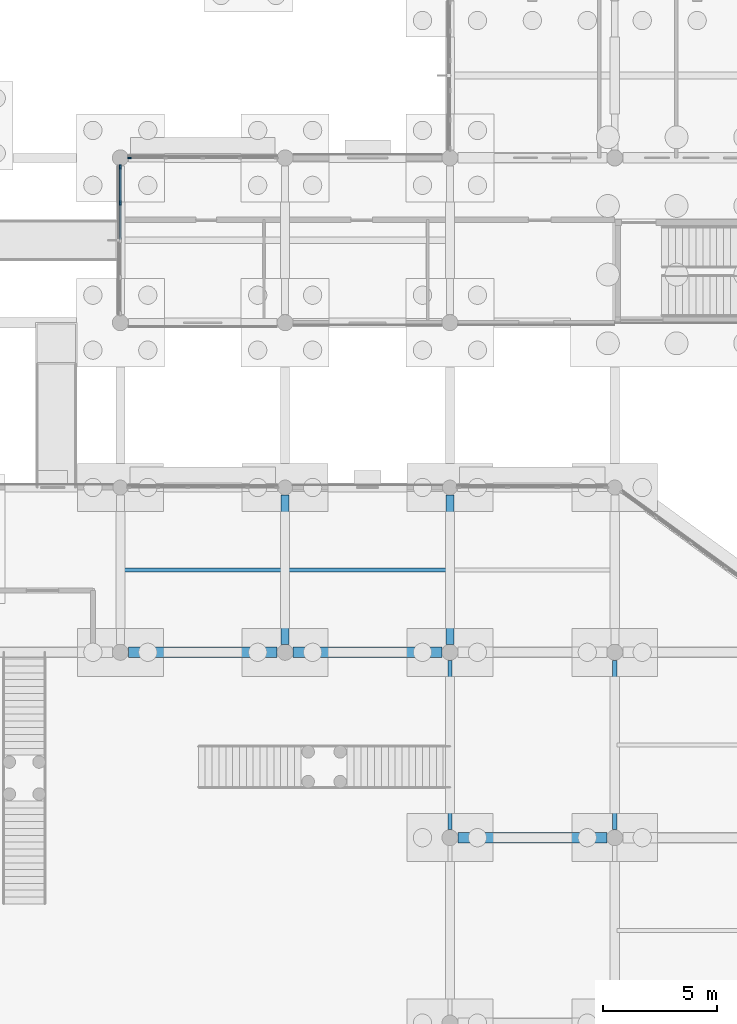
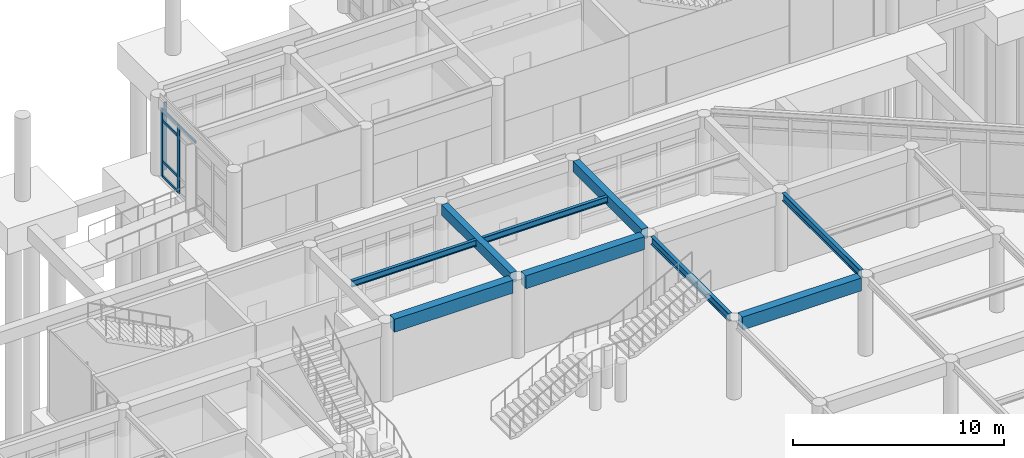
# One storey, part 25 of 103: 9 beams, 8 members, 2 elements without a shape of their own.
"""IFC4 building model written with IfcOpenShell, lengths in metres."""

from ifc_helpers import new_model, si_unit, direction, frame, origin, origin_2d, place, context, subcontext, project, spatial, rectangle, i_section, extrude, material, layer, layer_set, material_profile, profile_set, type_object, element, aggregate, save


model = new_model("IFC4")

# Units and contexts
model_context = context("Model", 3, precision=1e-05, world=origin(), true_north=direction((0.0, 1.0)))
body_context = subcontext(model_context, "Body", "Model", "MODEL_VIEW")
ifc_project = project(units=[si_unit("LENGTHUNIT", "METRE"), si_unit("AREAUNIT", "SQUARE_METRE"), si_unit("VOLUMEUNIT", "CUBIC_METRE"), si_unit("PLANEANGLEUNIT", "RADIAN"), si_unit("MASSUNIT", "GRAM", prefix="KILO")], contexts=[model_context])

# Site, building, storey
site_placement = place(None, origin())
site = spatial("IfcSite", under=ifc_project, at=site_placement, CompositionType="ELEMENT")
building_placement = place(site_placement, origin())
building = spatial("IfcBuilding", under=site, at=building_placement, Name="Namkhue Oval Health Centre", CompositionType="ELEMENT")
storey_placement = place(building_placement, origin())
storey = spatial("IfcBuildingStorey", under=building, at=storey_placement, Name="L00", CompositionType="ELEMENT", Elevation=0.0)

# Curtain wall, member
ifc_material_1 = material(Name="Anodised aluminium EN AW-6063 T6", Category="aluminium")
ifc_layer_1 = layer(ifc_material_1, 0.159912109375)
ifc_layer_set_1 = layer_set([ifc_layer_1], Name="Anodised aluminium EN AW-6063 T6")
curtain_wall_type_1 = type_object("IfcCurtainWallType", Name="UNITISED CURTAIN WALL M1500", PredefinedType="NOTDEFINED", material=ifc_layer_set_1)
curtain_wall_1_placement = place(storey_placement, origin())
curtain_wall_1 = element("IfcCurtainWall", 1, at=curtain_wall_1_placement, inside=storey, type_object=curtain_wall_type_1, Name="Volume V2 L00 Unitised Curtain Wall 45", PredefinedType="NOTDEFINED")
ifc_material_profile_1 = material_profile(ifc_material_1, rectangle(XDim=0.06494140625, YDim=0.159912109375, at=origin_2d()), Name="ALU 65x160")
ifc_profile_set_1 = profile_set([ifc_material_profile_1], Name="Anodised aluminium EN AW-6063 T6")
member_type_1 = type_object("IfcMemberType", Name="CURTAIN WALL MULLION 65X160", PredefinedType="MULLION", material=ifc_profile_set_1)
member_1_placement = place(storey_placement, frame((36.392578125, 97.199951171875, 0.0), z_axis=(0.0, 0.0, 1.0), x_axis=(0.0, -1.0, 0.0)))
member_1 = element("IfcMember", 2, at=member_1_placement, type_object=member_type_1, Name="CW-03 mullion 5", PredefinedType="MULLION", context=body_context, shape_type="SweptSolid", body=[
    extrude(rectangle(XDim=0.06494140625, YDim=0.159912109375, at=origin_2d()), origin(), (0.0, 0.0, 1.0), 3.909912109375),
])
aggregate(curtain_wall_1, [member_1])

# Curtain wall, members
ifc_layer_2 = layer(ifc_material_1, 0.159912109375)
ifc_layer_set_2 = layer_set([ifc_layer_2], Name="Anodised aluminium EN AW-6063 T6")
curtain_wall_type_2 = type_object("IfcCurtainWallType", Name="UNITISED CURTAIN WALL M1600", PredefinedType="NOTDEFINED", material=ifc_layer_set_2)
curtain_wall_2_placement = place(storey_placement, origin())
curtain_wall_2 = element("IfcCurtainWall", 3, at=curtain_wall_2_placement, inside=storey, type_object=curtain_wall_type_2, Name="Volume V2 L00 Unitised Curtain Wall 46", PredefinedType="NOTDEFINED")
ifc_material_profile_2 = material_profile(ifc_material_1, rectangle(XDim=0.074951171875, YDim=0.199951171875, at=origin_2d()), Name="ALU 75x200")
ifc_profile_set_2 = profile_set([ifc_material_profile_2], Name="Anodised aluminium EN AW-6063 T6")
member_type_2 = type_object("IfcMemberType", Name="CURTAIN WALL MULLION 75X200", PredefinedType="MULLION", material=ifc_profile_set_2)
member_2_placement = place(storey_placement, frame((36.0, 96.802490234375, 0.0), z_axis=(0.0, 0.0, 1.0), x_axis=(1.0, 0.0, 0.0)))
member_2 = element("IfcMember", 4, at=member_2_placement, type_object=member_type_2, Name="CW-04 mullion 1", PredefinedType="MULLION", context=body_context, shape_type="SweptSolid", body=[
    extrude(rectangle(XDim=0.074951171875, YDim=0.199951171875, at=origin_2d()), origin(), (0.0, 0.0, 1.0), 3.909912109375),
])
member_3_placement = place(storey_placement, frame((36.0, 95.219970703125, 0.0), z_axis=(0.0, 0.0, 1.0), x_axis=(1.0, 0.0, 0.0)))
member_3 = element("IfcMember", 5, at=member_3_placement, type_object=member_type_2, Name="CW-04 mullion 2", PredefinedType="MULLION", context=body_context, shape_type="SweptSolid", body=[
    extrude(rectangle(XDim=0.074951171875, YDim=0.199951171875, at=origin_2d()), origin(), (0.0, 0.0, 1.0), 3.909912109375),
])
ifc_material_profile_3 = material_profile(ifc_material_1, rectangle(XDim=0.074951171875, YDim=0.14990234375, at=origin_2d()), Name="ALU 75x150")
ifc_profile_set_3 = profile_set([ifc_material_profile_3], Name="Anodised aluminium EN AW-6063 T6")
member_type_3 = type_object("IfcMemberType", Name="CURTAIN WALL TRANSOM 75X150", PredefinedType="USERDEFINED", material=ifc_profile_set_3)
member_4_placement = place(storey_placement, frame((36.0, 96.764892578125, 0.03759765625), z_axis=(0.0, -1.0, 0.0), x_axis=(1.0, 0.0, 0.0)))
member_4 = element("IfcMember", 6, at=member_4_placement, type_object=member_type_3, Name="CW-04 transom 1.1", ObjectType="TRANSOM", PredefinedType="USERDEFINED", context=body_context, shape_type="SweptSolid", body=[
    extrude(rectangle(XDim=0.074951171875, YDim=0.14990234375, at=origin_2d()), origin(), (0.0, 0.0, 1.0), 1.50732421875),
])
member_5_placement = place(storey_placement, frame((36.0, 96.764892578125, 0.89990234375), z_axis=(0.0, -1.0, 0.0), x_axis=(1.0, 0.0, 0.0)))
member_5 = element("IfcMember", 7, at=member_5_placement, type_object=member_type_3, Name="CW-04 transom 1.2", ObjectType="TRANSOM", PredefinedType="USERDEFINED", context=body_context, shape_type="SweptSolid", body=[
    extrude(rectangle(XDim=0.074951171875, YDim=0.14990234375, at=origin_2d()), origin(), (0.0, 0.0, 1.0), 1.50732421875),
])
member_6_placement = place(storey_placement, frame((36.0, 96.764892578125, 3.260009765625), z_axis=(0.0, -1.0, 0.0), x_axis=(1.0, 0.0, 0.0)))
member_6 = element("IfcMember", 8, at=member_6_placement, type_object=member_type_3, Name="CW-04 transom 1.3", ObjectType="TRANSOM", PredefinedType="USERDEFINED", context=body_context, shape_type="SweptSolid", body=[
    extrude(rectangle(XDim=0.074951171875, YDim=0.14990234375, at=origin_2d()), origin(), (0.0, 0.0, 1.0), 1.50732421875),
])
member_7_placement = place(storey_placement, frame((36.0, 96.764892578125, 3.87255859375), z_axis=(0.0, -1.0, 0.0), x_axis=(1.0, 0.0, 0.0)))
member_7 = element("IfcMember", 9, at=member_7_placement, type_object=member_type_3, Name="CW-04 transom 1.4", ObjectType="TRANSOM", PredefinedType="USERDEFINED", context=body_context, shape_type="SweptSolid", body=[
    extrude(rectangle(XDim=0.074951171875, YDim=0.14990234375, at=origin_2d()), origin(), (0.0, 0.0, 1.0), 1.50732421875),
])
member_8_placement = place(storey_placement, frame((36.0, 95.1826171875, 3.87255859375), z_axis=(0.0, -1.0, 0.0), x_axis=(1.0, 0.0, 0.0)))
member_8 = element("IfcMember", 10, at=member_8_placement, type_object=member_type_3, Name="CW-04 transom 2.4", ObjectType="TRANSOM", PredefinedType="USERDEFINED", context=body_context, shape_type="SweptSolid", body=[
    extrude(rectangle(XDim=0.074951171875, YDim=0.14990234375, at=origin_2d()), origin(), (0.0, 0.0, 1.0), 1.545166015625),
])
aggregate(curtain_wall_2, [member_2, member_3, member_4, member_5, member_6, member_7, member_8])

# Beams
ifc_material_2 = material(Name="Reinforced concrete C30/37 (TCVN B35)", Category="concrete")
ifc_material_profile_4 = material_profile(ifc_material_2, rectangle(XDim=0.35009765625, YDim=0.60009765625, at=origin_2d()), Name="RC 350x600")
ifc_profile_set_4 = profile_set([ifc_material_profile_4], Name="Reinforced concrete C30/37 (TCVN B35)")
beam_type_1 = type_object("IfcBeamType", Name="FLOOR BEAM RC 350X600", PredefinedType="BEAM", material=ifc_profile_set_4)
for number, where, z_axis, x_axis, name in (
    (11, (43.199951171875, 75.949951171875, 4.264892578125), (0.0, 1.0, 0.0), (-1.0, 0.0, 0.0), "Volume V1 L01 Beam 7/L-M"),
    (12, (50.39990234375, 75.949951171875, 4.264892578125), (0.0, 1.0, 0.0), (-1.0, 0.0, 0.0), "Volume V1 L01 Beam 8/L-M"),
):
    element("IfcBeam", number, at=place(storey_placement, frame(where, z_axis=z_axis, x_axis=x_axis)), inside=storey, type_object=beam_type_1, Name=name, PredefinedType="BEAM", context=body_context, shape_type="SweptSolid", body=[
        extrude(rectangle(XDim=0.35009765625, YDim=0.60009765625, at=origin_2d()), origin(), (0.0, 0.0, 1.0), 6.525146484375),
    ])
ifc_material_3 = material(Name="Structural steel EN 10025-2 S355JR (TCVN 5575:2024)", Category="steel")
ifc_material_profile_5 = material_profile(ifc_material_3, i_section(OverallWidth=0.18994140625, OverallDepth=0.449951171875, WebThickness=0.009521484375, FlangeThickness=0.0146484375, FilletRadius=0.02099609375, at=origin_2d()), Name="IPE 450")
ifc_profile_set_5 = profile_set([ifc_material_profile_5], Name="Structural steel EN 10025-2 S355JR (TCVN 5575:2024)")
beam_type_2 = type_object("IfcBeamType", Name="FLOOR BEAM STEEL IPE 450", PredefinedType="BEAM", material=ifc_profile_set_5)
for number, where, z_axis, x_axis, name in (
    (13, (50.39990234375, 67.85009765625, 4.340087890625), (0.0, 1.0, 0.0), (-1.0, 0.0, 0.0), "Volume V1 L01 Beam 8/K-L"),
    (14, (57.60009765625, 67.85009765625, 4.340087890625), (0.0, 1.0, 0.0), (-1.0, 0.0, 0.0), "Volume V1 L01 Beam 9/K-L"),
):
    element("IfcBeam", number, at=place(storey_placement, frame(where, z_axis=z_axis, x_axis=x_axis)), inside=storey, type_object=beam_type_2, Name=name, PredefinedType="BEAM", context=body_context, shape_type="SweptSolid", body=[
        extrude(i_section(OverallWidth=0.18994140625, OverallDepth=0.449951171875, WebThickness=0.009521484375, FlangeThickness=0.0146484375, FilletRadius=0.02099609375, at=origin_2d()), origin(), (0.0, 0.0, 1.0), 7.39990234375),
    ])
ifc_material_4 = material(Name="Reinforced concrete C35/45 (TCVN B40)", Category="concrete")
ifc_material_profile_6 = material_profile(ifc_material_4, rectangle(XDim=0.449951171875, YDim=0.75, at=origin_2d()), Name="RC 450x750")
ifc_profile_set_6 = profile_set([ifc_material_profile_6], Name="Reinforced concrete C35/45 (TCVN B40)")
beam_type_3 = type_object("IfcBeamType", Name="PRIMARY GIRDER RC 450X750", PredefinedType="USERDEFINED", material=ifc_profile_set_6)
for number, where, z_axis, x_axis, name in (
    (15, (50.75, 67.5, 4.18994140625), (1.0, 0.0, 0.0), (0.0, 1.0, 0.0), "Volume V1 L01 Girder K/8-9"),
    (16, (36.35009765625, 75.60009765625, 4.18994140625), (1.0, 0.0, 0.0), (0.0, 1.0, 0.0), "Volume V1 L01 Girder L/6-7"),
    (17, (43.550048828125, 75.60009765625, 4.18994140625), (1.0, 0.0, 0.0), (0.0, 1.0, 0.0), "Volume V1 L01 Girder L/7-8"),
):
    element("IfcBeam", number, at=place(storey_placement, frame(where, z_axis=z_axis, x_axis=x_axis)), inside=storey, type_object=beam_type_3, Name=name, ObjectType="GIRDER", PredefinedType="USERDEFINED", context=body_context, shape_type="SweptSolid", body=[
        extrude(rectangle(XDim=0.449951171875, YDim=0.75, at=origin_2d()), origin(), (0.0, 0.0, 1.0), 6.5),
    ])
ifc_material_profile_7 = material_profile(ifc_material_3, i_section(OverallWidth=0.169921875, OverallDepth=0.360107421875, WebThickness=0.008056640625, FlangeThickness=0.0126953125, FilletRadius=0.01806640625, at=origin_2d()), Name="IPE 360")
ifc_profile_set_7 = profile_set([ifc_material_profile_7], Name="Structural steel EN 10025-2 S355JR (TCVN 5575:2024)")
beam_type_4 = type_object("IfcBeamType", Name="SECONDARY JOIST STEEL IPE 360", PredefinedType="JOIST", material=ifc_profile_set_7)
beam_1_placement = place(storey_placement, frame((36.175048828125, 79.199951171875, 4.385009765625), z_axis=(1.0, 0.0, 0.0), x_axis=(0.0, 1.0, 0.0)))
element("IfcBeam", 18, at=beam_1_placement, inside=storey, type_object=beam_type_4, Name="Volume V1 L01 Secondary Joist 6-7", PredefinedType="JOIST", context=body_context, shape_type="SweptSolid", body=[
    extrude(i_section(OverallWidth=0.169921875, OverallDepth=0.360107421875, WebThickness=0.008056640625, FlangeThickness=0.0126953125, FilletRadius=0.01806640625, at=origin_2d()), origin(), (0.0, 0.0, 1.0), 6.849853515625),
])
beam_2_placement = place(storey_placement, frame((43.375, 79.199951171875, 4.385009765625), z_axis=(1.0, 0.0, 0.0), x_axis=(0.0, 1.0, 0.0)))
element("IfcBeam", 19, at=beam_2_placement, inside=storey, type_object=beam_type_4, Name="Volume V1 L01 Secondary Joist 7-8", PredefinedType="JOIST", context=body_context, shape_type="SweptSolid", body=[
    extrude(i_section(OverallWidth=0.169921875, OverallDepth=0.360107421875, WebThickness=0.008056640625, FlangeThickness=0.0126953125, FilletRadius=0.01806640625, at=origin_2d()), origin(), (0.0, 0.0, 1.0), 6.85009765625),
])

save(model, "model.ifc")
